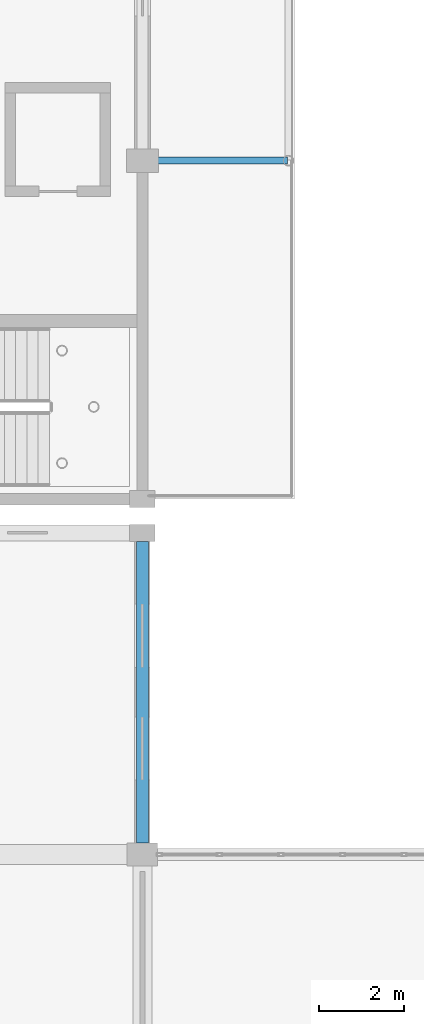
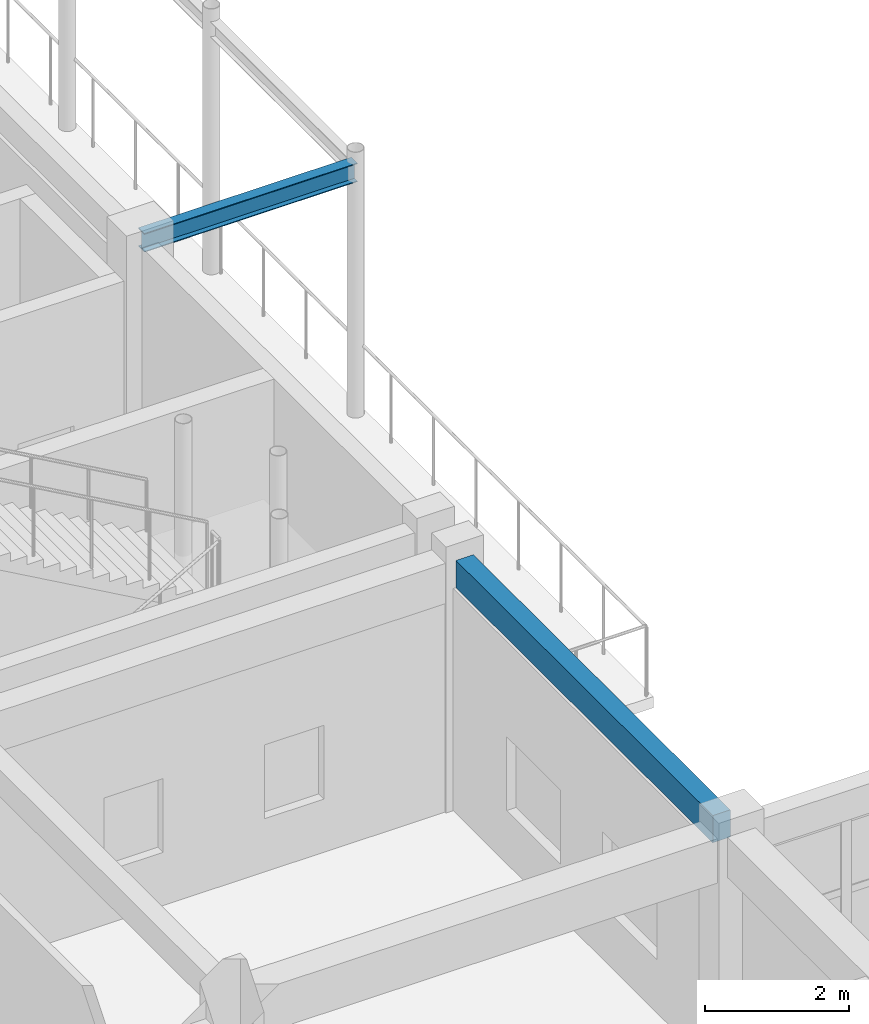
# One storey, part 53 of 160: 2 beams.
"""IFC4 building model written with IfcOpenShell, lengths in metres."""

from ifc_helpers import new_model, si_unit, direction, frame, origin, origin_2d, place, context, subcontext, project, spatial, rectangle, i_section, extrude, material, material_profile, profile_set, type_object, element, save


model = new_model("IFC4")

# Units and contexts
model_context = context("Model", 3, precision=1e-05, world=origin(), true_north=direction((0.0, 1.0)))
body_context = subcontext(model_context, "Body", "Model", "MODEL_VIEW")
ifc_project = project(units=[si_unit("LENGTHUNIT", "METRE"), si_unit("AREAUNIT", "SQUARE_METRE"), si_unit("VOLUMEUNIT", "CUBIC_METRE"), si_unit("PLANEANGLEUNIT", "RADIAN"), si_unit("MASSUNIT", "GRAM", prefix="KILO")], contexts=[model_context])

# Site, building, storey
site_placement = place(None, origin())
site = spatial("IfcSite", under=ifc_project, at=site_placement, CompositionType="ELEMENT")
building_placement = place(site_placement, origin())
building = spatial("IfcBuilding", under=site, at=building_placement, Name="Kharva Crest Polytechnic", CompositionType="ELEMENT")
storey_placement = place(building_placement, frame((0.0, 0.0, 4.5)))
storey = spatial("IfcBuildingStorey", under=building, at=storey_placement, Name="L01", CompositionType="ELEMENT", Elevation=4.5)

# Beams
ifc_material_1 = material(Name="Steel S355", Category="steel")
ifc_material_profile_1 = material_profile(ifc_material_1, i_section(OverallWidth=0.1669921875, OverallDepth=0.31689453125, WebThickness=0.007568359375, FlangeThickness=0.01318359375, at=origin_2d()), Name="W310X52")
ifc_profile_set_1 = profile_set([ifc_material_profile_1], Name="Steel S355")
beam_type_1 = type_object("IfcBeamType", Name="BM-STL-W310X52", PredefinedType="BEAM", material=ifc_profile_set_1)
beam_1_placement = place(storey_placement, frame((48.02001953125, 46.800048828125, 4.131591796875), z_axis=(1.0, 0.0, 0.0), x_axis=(0.0, 1.0, 0.0)))
element("IfcBeam", 1, at=beam_1_placement, inside=storey, type_object=beam_type_1, Name="L01 West Veranda Tie 1", PredefinedType="BEAM", context=body_context, shape_type="SweptSolid", body=[
    extrude(i_section(OverallWidth=0.1669921875, OverallDepth=0.31689453125, WebThickness=0.007568359375, FlangeThickness=0.01318359375, at=origin_2d()), origin(), (0.0, 0.0, 1.0), 3.409912109375),
])
ifc_material_2 = material(Name="Concrete C35/45", Category="concrete")
ifc_material_profile_2 = material_profile(ifc_material_2, rectangle(XDim=0.280029296875, YDim=0.4599609375, at=origin_2d()), Name="RECT 280 X 460")
ifc_profile_set_2 = profile_set([ifc_material_profile_2], Name="Concrete C35/45")
beam_type_2 = type_object("IfcBeamType", Name="SP-RC-280X460", PredefinedType="SPANDREL", material=ifc_profile_set_2)
beam_2_placement = place(storey_placement, frame((48.0, 30.675048828125, 3.989990234375), z_axis=(0.0, 1.0, 0.0), x_axis=(-1.0, 0.0, 0.0)))
element("IfcBeam", 2, at=beam_2_placement, inside=storey, type_object=beam_type_2, Name="L01 Girder 7/E-F", PredefinedType="SPANDREL", context=body_context, shape_type="SweptSolid", body=[
    extrude(rectangle(XDim=0.280029296875, YDim=0.4599609375, at=origin_2d()), origin(), (0.0, 0.0, 1.0), 7.125),
])

save(model, "model.ifc")
